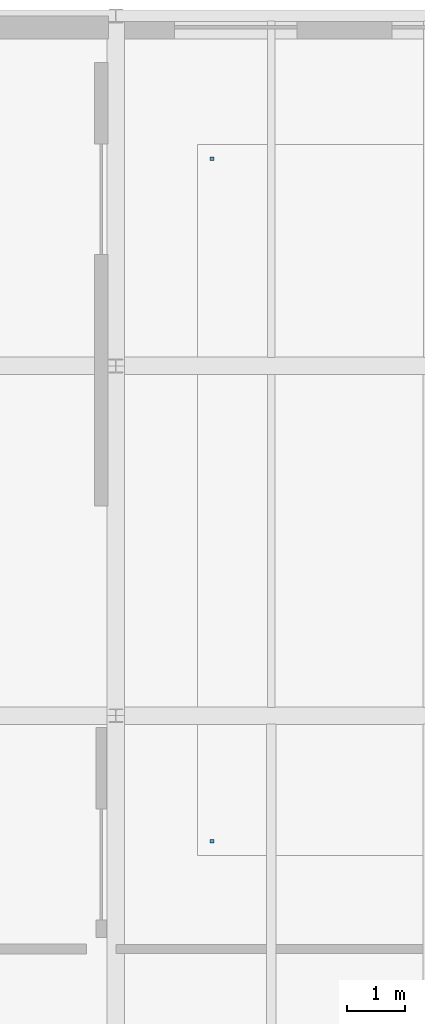
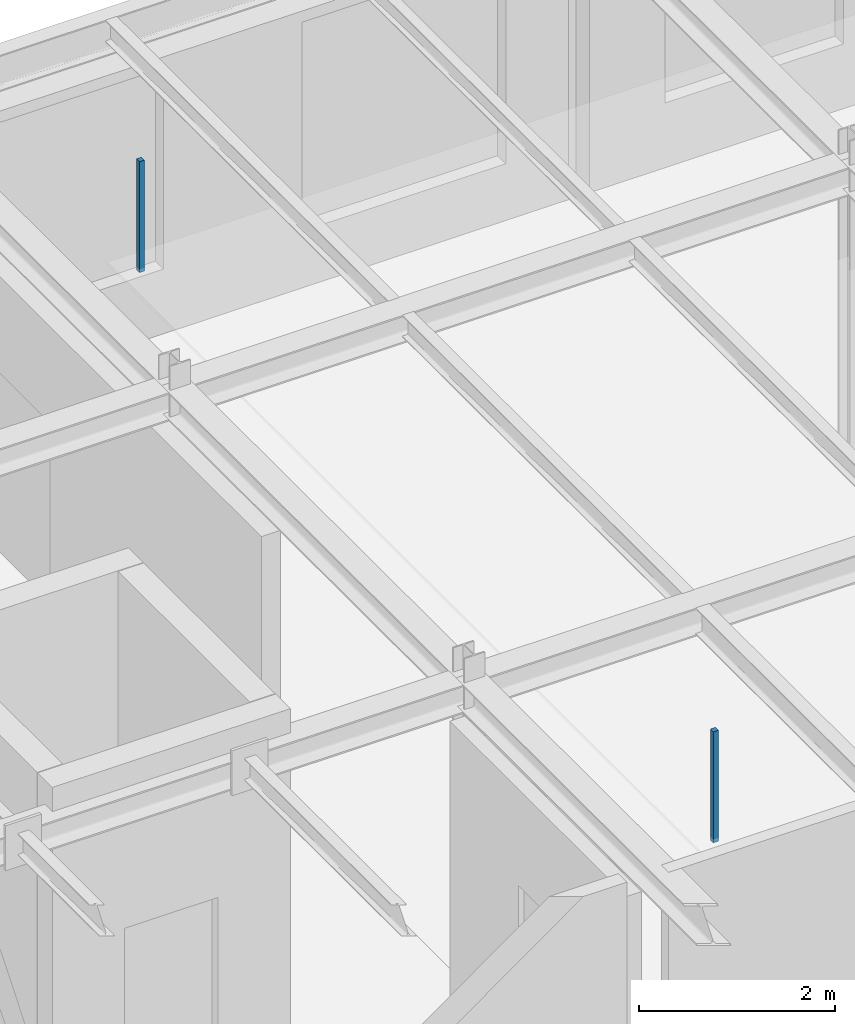
# One storey, part 96 of 124: 2 discrete accessories.
"""IFC4 building model written with IfcOpenShell, lengths in metres."""

from ifc_helpers import new_model, si_unit, direction, frame, origin, origin_2d, place, context, subcontext, project, spatial, rectangle, extrude, material, type_object, element, save


model = new_model("IFC4")

# Units and contexts
model_context = context("Model", 3, precision=1e-05, world=origin(), true_north=direction((0.0, 1.0)))
body_context = subcontext(model_context, "Body", "Model", "MODEL_VIEW")
ifc_project = project(units=[si_unit("LENGTHUNIT", "METRE"), si_unit("AREAUNIT", "SQUARE_METRE"), si_unit("VOLUMEUNIT", "CUBIC_METRE"), si_unit("PLANEANGLEUNIT", "RADIAN"), si_unit("MASSUNIT", "GRAM", prefix="KILO")], contexts=[model_context])

# Site, building, storey
site_placement = place(None, origin())
site = spatial("IfcSite", under=ifc_project, at=site_placement, CompositionType="ELEMENT")
building_placement = place(site_placement, origin())
building = spatial("IfcBuilding", under=site, at=building_placement, Name="Sundkrona Museum", CompositionType="ELEMENT")
storey_placement = place(building_placement, frame((0.0, 0.0, 17.60009765625)))
storey = spatial("IfcBuildingStorey", under=building, at=storey_placement, Name="L03", CompositionType="ELEMENT", Elevation=17.60009765625)

# Discrete accessories
ifc_material = material(Name="Stainless Steel EN 1.4404 Cleat", Category="steel")
discrete_accessory_type = type_object("IfcDiscreteAccessoryType", Name="BRK-FIN-01", PredefinedType="BRACKET", material=ifc_material)
for number, where, z_axis, x_axis, name in (
    (1, (57.64990234375, 99.85009765625, 2.550048828125), (0.0, 0.0, 1.0), (1.0, 0.0, 0.0), "L03 Glass and Applied Arts Gallery Ceiling Hanger 1"),
    (2, (57.64990234375, 111.550048828125, 2.550048828125), (0.0, 0.0, 1.0), (1.0, 0.0, 0.0), "L03 Glass and Applied Arts Gallery Ceiling Hanger 4"),
):
    element("IfcDiscreteAccessory", number, at=place(storey_placement, frame(where, z_axis=z_axis, x_axis=x_axis)), inside=storey, type_object=discrete_accessory_type, Name=name, PredefinedType="BRACKET", context=body_context, shape_type="SweptSolid", body=[
        extrude(rectangle(XDim=0.06005859375, YDim=0.06005859375, at=origin_2d()), origin(), (0.0, 0.0, 1.0), 1.3798828125),
    ])

save(model, "model.ifc")
